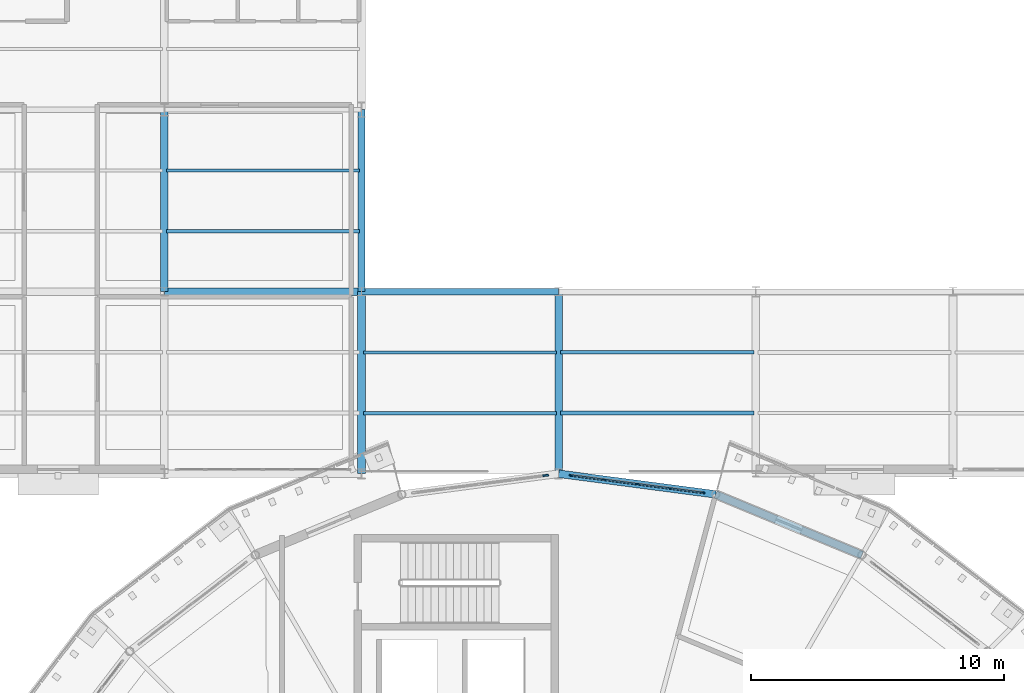
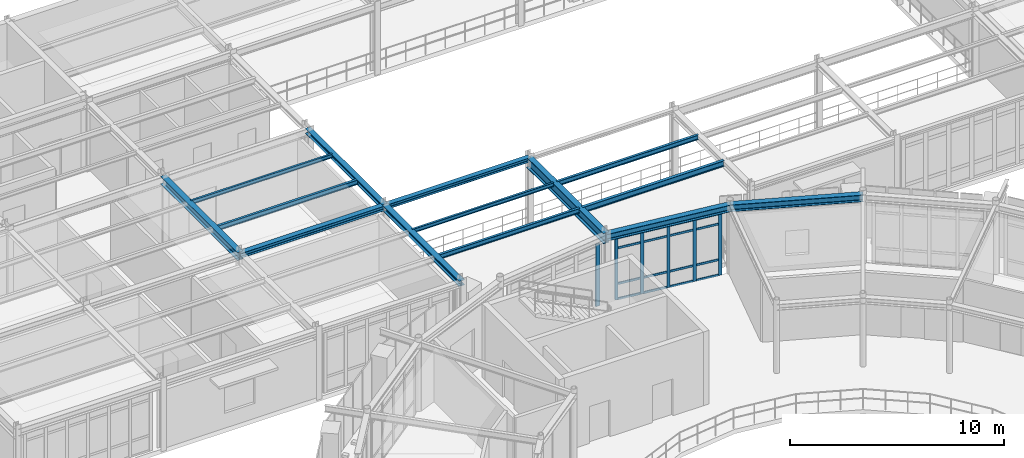
# One storey, part 51 of 90: 22 members, 14 beams, 2 elements without a shape of their own.
"""IFC4 building model written with IfcOpenShell, lengths in metres."""

from ifc_helpers import new_model, si_unit, derived_unit, direction, frame, origin, origin_2d, place, context, subcontext, project, spatial, rectangle, i_section, extrude, material, layer, layer_set, material_profile, profile_set, type_object, element, aggregate, save


model = new_model("IFC4")

# Units and contexts
model_context = context("Model", 3, precision=1e-05, world=origin(), true_north=direction((0.0, 1.0)))
body_context = subcontext(model_context, "Body", "Model", "MODEL_VIEW")
ifc_project = project(units=[si_unit("LENGTHUNIT", "METRE"), si_unit("AREAUNIT", "SQUARE_METRE"), si_unit("VOLUMEUNIT", "CUBIC_METRE"), si_unit("PLANEANGLEUNIT", "RADIAN"), si_unit("MASSUNIT", "GRAM", prefix="KILO"), derived_unit("THERMALTRANSMITTANCEUNIT", [(si_unit("POWERUNIT", "WATT"), 1), (si_unit("AREAUNIT", "SQUARE_METRE"), -1), (si_unit("THERMODYNAMICTEMPERATUREUNIT", "KELVIN"), -1)])], contexts=[model_context])

# Site, building, storey
site_placement = place(None, origin())
site = spatial("IfcSite", under=ifc_project, at=site_placement, CompositionType="ELEMENT")
building_placement = place(site_placement, origin())
building = spatial("IfcBuilding", under=site, at=building_placement, Name="Yasenodar Specialist Clinic", CompositionType="ELEMENT")
storey_placement = place(building_placement, frame((0.0, 0.0, 9.0)))
storey = spatial("IfcBuildingStorey", under=building, at=storey_placement, Name="L02", CompositionType="ELEMENT", Elevation=9.0)

# Beams
ifc_material_1 = material(Name="Steel S355", Category="steel")
ifc_material_profile_1 = material_profile(ifc_material_1, i_section(OverallWidth=0.260009765625, OverallDepth=0.25, WebThickness=0.007568359375, FlangeThickness=0.012451171875, FilletRadius=0.02392578125, at=origin_2d()), Name="HEA 260")
ifc_profile_set_1 = profile_set([ifc_material_profile_1], Name="Steel S355")
beam_type_1 = type_object("IfcBeamType", Name="BM-HEA260", PredefinedType="BEAM", material=ifc_profile_set_1)
beam_1_placement = place(storey_placement, frame((73.199951171875, 90.0, 3.824951171875), z_axis=(1.0, 0.0, 0.0), x_axis=(0.0, 1.0, 0.0)))
element("IfcBeam", 1, at=beam_1_placement, inside=storey, type_object=beam_type_1, Name="L02 Primary E-W Girder", PredefinedType="BEAM", context=body_context, shape_type="SweptSolid", body=[
    extrude(i_section(OverallWidth=0.260009765625, OverallDepth=0.25, WebThickness=0.007568359375, FlangeThickness=0.012451171875, FilletRadius=0.02392578125, at=origin_2d()), origin(), (0.0, 0.0, 1.0), 7.800048828125),
])
ifc_material_profile_2 = material_profile(ifc_material_1, i_section(OverallWidth=0.280029296875, OverallDepth=0.27001953125, WebThickness=0.008056640625, FlangeThickness=0.012939453125, FilletRadius=0.02392578125, at=origin_2d()), Name="HEA 280")
ifc_profile_set_2 = profile_set([ifc_material_profile_2], Name="Steel S355")
beam_type_2 = type_object("IfcBeamType", Name="BM-HEA280", PredefinedType="BEAM", material=ifc_profile_set_2)
beam_2_placement = place(storey_placement, frame((65.39990234375, 90.0, 3.81494140625), z_axis=(1.0, 0.0, 0.0), x_axis=(0.0, 1.0, 0.0)))
element("IfcBeam", 2, at=beam_2_placement, inside=storey, type_object=beam_type_2, Name="L02 Primary E-W Girder", PredefinedType="BEAM", context=body_context, shape_type="SweptSolid", body=[
    extrude(i_section(OverallWidth=0.280029296875, OverallDepth=0.27001953125, WebThickness=0.008056640625, FlangeThickness=0.012939453125, FilletRadius=0.02392578125, at=origin_2d()), origin(), (0.0, 0.0, 1.0), 7.800048828125),
])
ifc_material_profile_3 = material_profile(ifc_material_1, i_section(OverallWidth=0.300048828125, OverallDepth=0.389892578125, WebThickness=0.010986328125, FlangeThickness=0.01904296875, FilletRadius=0.027099609375, at=origin_2d()), Name="HEA 400")
ifc_profile_set_3 = profile_set([ifc_material_profile_3], Name="Steel S355")
beam_type_3 = type_object("IfcBeamType", Name="BM-HEA400", PredefinedType="BEAM", material=ifc_profile_set_3)
beam_3_placement = place(storey_placement, frame((93.0, 79.584716796875, 3.7548828125), z_axis=(-0.9238876519, 0.382663829839, 0.0), x_axis=(-0.382663829839, -0.9238876519, 0.0)))
element("IfcBeam", 3, at=beam_3_placement, inside=storey, type_object=beam_type_3, Name="L02 Drum V1 Perimeter Ring Beam", PredefinedType="BEAM", context=body_context, shape_type="SweptSolid", body=[
    extrude(i_section(OverallWidth=0.300048828125, OverallDepth=0.389892578125, WebThickness=0.010986328125, FlangeThickness=0.01904296875, FilletRadius=0.027099609375, at=origin_2d()), origin(), (0.0, 0.0, 1.0), 6.26513671875),
])
beam_4_placement = place(storey_placement, frame((87.211669921875, 81.982177734375, 3.7548828125), z_axis=(-0.991443018138, 0.130540192224, 0.0), x_axis=(-0.130540192224, -0.991443018138, 0.0)))
element("IfcBeam", 4, at=beam_4_placement, inside=storey, type_object=beam_type_3, Name="L02 Drum V1 Perimeter Ring Beam", PredefinedType="BEAM", context=body_context, shape_type="SweptSolid", body=[
    extrude(i_section(OverallWidth=0.300048828125, OverallDepth=0.389892578125, WebThickness=0.010986328125, FlangeThickness=0.01904296875, FilletRadius=0.027099609375, at=origin_2d()), origin(), (0.0, 0.0, 1.0), 6.265380859375),
])
ifc_material_profile_4 = material_profile(ifc_material_1, i_section(OverallWidth=0.280029296875, OverallDepth=0.280029296875, WebThickness=0.010498046875, FlangeThickness=0.01806640625, FilletRadius=0.02392578125, at=origin_2d()), Name="HEB 280")
ifc_profile_set_4 = profile_set([ifc_material_profile_4], Name="Steel S355")
beam_type_4 = type_object("IfcBeamType", Name="BM-HEB280", PredefinedType="BEAM", material=ifc_profile_set_4)
beam_5_placement = place(storey_placement, frame((73.199951171875, 90.0, 3.81005859375), z_axis=(0.0, 1.0, 0.0), x_axis=(-1.0, 0.0, 0.0)))
element("IfcBeam", 5, at=beam_5_placement, inside=storey, type_object=beam_type_4, Name="L02 Primary N-S Girder", PredefinedType="BEAM", context=body_context, shape_type="SweptSolid", body=[
    extrude(i_section(OverallWidth=0.280029296875, OverallDepth=0.280029296875, WebThickness=0.010498046875, FlangeThickness=0.01806640625, FilletRadius=0.02392578125, at=origin_2d()), origin(), (0.0, 0.0, 1.0), 7.199951171875),
])
ifc_material_profile_5 = material_profile(ifc_material_1, i_section(OverallWidth=0.300048828125, OverallDepth=0.300048828125, WebThickness=0.010986328125, FlangeThickness=0.01904296875, FilletRadius=0.027099609375, at=origin_2d()), Name="HEB 300")
ifc_profile_set_5 = profile_set([ifc_material_profile_5], Name="Steel S355")
beam_type_5 = type_object("IfcBeamType", Name="BM-HEB300", PredefinedType="BEAM", material=ifc_profile_set_5)
beam_6_placement = place(storey_placement, frame((73.199951171875, 82.800048828125, 3.800048828125), z_axis=(0.0, 1.0, 0.0), x_axis=(-1.0, 0.0, 0.0)))
element("IfcBeam", 6, at=beam_6_placement, inside=storey, type_object=beam_type_5, Name="L02 Primary N-S Girder", PredefinedType="BEAM", context=body_context, shape_type="SweptSolid", body=[
    extrude(i_section(OverallWidth=0.300048828125, OverallDepth=0.300048828125, WebThickness=0.010986328125, FlangeThickness=0.01904296875, FilletRadius=0.027099609375, at=origin_2d()), origin(), (0.0, 0.0, 1.0), 7.199951171875),
])
ifc_material_profile_6 = material_profile(ifc_material_1, i_section(OverallWidth=0.300048828125, OverallDepth=0.449951171875, WebThickness=0.013916015625, FlangeThickness=0.02587890625, FilletRadius=0.027099609375, at=origin_2d()), Name="HEB 450")
ifc_profile_set_6 = profile_set([ifc_material_profile_6], Name="Steel S355")
beam_type_6 = type_object("IfcBeamType", Name="BM-HEB450", PredefinedType="BEAM", material=ifc_profile_set_6)
beam_7_placement = place(storey_placement, frame((65.39990234375, 90.0, 3.72509765625), z_axis=(0.0, 1.0, 0.0), x_axis=(-1.0, 0.0, 0.0)))
element("IfcBeam", 7, at=beam_7_placement, inside=storey, type_object=beam_type_6, Name="L02 Primary N-S Girder", PredefinedType="BEAM", context=body_context, shape_type="SweptSolid", body=[
    extrude(i_section(OverallWidth=0.300048828125, OverallDepth=0.449951171875, WebThickness=0.013916015625, FlangeThickness=0.02587890625, FilletRadius=0.027099609375, at=origin_2d()), origin(), (0.0, 0.0, 1.0), 7.199951171875),
])
ifc_material_profile_7 = material_profile(ifc_material_1, i_section(OverallWidth=0.300048828125, OverallDepth=0.60009765625, WebThickness=0.015380859375, FlangeThickness=0.030029296875, FilletRadius=0.027099609375, at=origin_2d()), Name="HEB 600")
ifc_profile_set_7 = profile_set([ifc_material_profile_7], Name="Steel S355")
beam_type_7 = type_object("IfcBeamType", Name="BM-HEB600", PredefinedType="BEAM", material=ifc_profile_set_7)
beam_8_placement = place(storey_placement, frame((81.0, 82.800048828125, 3.64990234375), z_axis=(0.0, 1.0, 0.0), x_axis=(-1.0, 0.0, 0.0)))
element("IfcBeam", 8, at=beam_8_placement, inside=storey, type_object=beam_type_7, Name="L02 Primary N-S Girder", PredefinedType="BEAM", context=body_context, shape_type="SweptSolid", body=[
    extrude(i_section(OverallWidth=0.300048828125, OverallDepth=0.60009765625, WebThickness=0.015380859375, FlangeThickness=0.030029296875, FilletRadius=0.027099609375, at=origin_2d()), origin(), (0.0, 0.0, 1.0), 7.199951171875),
])

# Curtain wall, members
ifc_material_2 = material(Name="Bronze Anodized Aluminium and Triple Low-E Glass", Category="aluminium")
ifc_layer = layer(ifc_material_2, 0.1669921875)
ifc_layer_set = layer_set([ifc_layer], Name="Bronze Anodized Aluminium and Triple Low-E Glass")
curtain_wall_type = type_object("IfcCurtainWallType", Name="CW-SYS-01", PredefinedType="USERDEFINED", material=ifc_layer_set)
curtain_wall_1_placement = place(storey_placement, origin())
curtain_wall_1 = element("IfcCurtainWall", 9, at=curtain_wall_1_placement, inside=storey, type_object=curtain_wall_type, Name="L02 Unitised Curtain Wall 029", ObjectType="UNITISED CURTAIN WALL", PredefinedType="USERDEFINED")
ifc_material_3 = material(Name="Bronze Anodized Aluminium", Category="aluminium")
ifc_material_profile_8 = material_profile(ifc_material_3, rectangle(XDim=0.06005859375, YDim=0.159912109375, at=origin_2d()), Name="CW-MULL 60x160")
ifc_profile_set_8 = profile_set([ifc_material_profile_8], Name="Bronze Anodized Aluminium")
member_type_1 = type_object("IfcMemberType", Name="CW-MULL-160", PredefinedType="MULLION", material=ifc_profile_set_8)
member_1_placement = place(storey_placement, frame((81.505615234375, 82.7333984375, 0.0), z_axis=(0.0, 0.0, 1.0), x_axis=(0.13051156024, 0.991446787601, 0.0)))
member_1 = element("IfcMember", 10, at=member_1_placement, type_object=member_type_1, Name="CW-01 mullion 1", PredefinedType="MULLION", context=body_context, shape_type="SweptSolid", body=[
    extrude(rectangle(XDim=0.06005859375, YDim=0.159912109375, at=origin_2d()), origin(), (0.0, 0.0, 1.0), 3.5380859375),
])
member_2_placement = place(storey_placement, frame((82.790771484375, 82.564208984375, 0.0), z_axis=(0.0, 0.0, 1.0), x_axis=(0.13051156024, 0.991446787601, 0.0)))
member_2 = element("IfcMember", 11, at=member_2_placement, type_object=member_type_1, Name="CW-01 mullion 2", PredefinedType="MULLION", context=body_context, shape_type="SweptSolid", body=[
    extrude(rectangle(XDim=0.06005859375, YDim=0.159912109375, at=origin_2d()), origin(), (0.0, 0.0, 1.0), 3.5380859375),
])
member_3_placement = place(storey_placement, frame((84.10595703125, 82.39111328125, 0.0), z_axis=(0.0, 0.0, 1.0), x_axis=(0.13051156024, 0.991446787601, 0.0)))
member_3 = element("IfcMember", 12, at=member_3_placement, type_object=member_type_1, Name="CW-01 mullion 3", PredefinedType="MULLION", context=body_context, shape_type="SweptSolid", body=[
    extrude(rectangle(XDim=0.06005859375, YDim=0.159912109375, at=origin_2d()), origin(), (0.0, 0.0, 1.0), 3.5380859375),
])
member_4_placement = place(storey_placement, frame((85.4208984375, 82.218017578125, 0.0), z_axis=(0.0, 0.0, 1.0), x_axis=(0.13051156024, 0.991446787601, 0.0)))
member_4 = element("IfcMember", 13, at=member_4_placement, type_object=member_type_1, Name="CW-01 mullion 4", PredefinedType="MULLION", context=body_context, shape_type="SweptSolid", body=[
    extrude(rectangle(XDim=0.06005859375, YDim=0.159912109375, at=origin_2d()), origin(), (0.0, 0.0, 1.0), 3.5380859375),
])
member_5_placement = place(storey_placement, frame((86.7060546875, 82.048828125, 0.0), z_axis=(0.0, 0.0, 1.0), x_axis=(0.13051156024, 0.991446787601, 0.0)))
member_5 = element("IfcMember", 14, at=member_5_placement, type_object=member_type_1, Name="CW-01 mullion 5", PredefinedType="MULLION", context=body_context, shape_type="SweptSolid", body=[
    extrude(rectangle(XDim=0.06005859375, YDim=0.159912109375, at=origin_2d()), origin(), (0.0, 0.0, 1.0), 3.5380859375),
])

# Curtain wall, member
curtain_wall_2_placement = place(storey_placement, origin())
curtain_wall_2 = element("IfcCurtainWall", 15, at=curtain_wall_2_placement, inside=storey, type_object=curtain_wall_type, Name="L02 Unitised Curtain Wall 030", ObjectType="UNITISED CURTAIN WALL", PredefinedType="USERDEFINED")
ifc_material_profile_9 = material_profile(ifc_material_3, rectangle(XDim=0.074951171875, YDim=0.22509765625, at=origin_2d()), Name="CW-MULL 75x225")
ifc_profile_set_9 = profile_set([ifc_material_profile_9], Name="Bronze Anodized Aluminium")
member_type_2 = type_object("IfcMemberType", Name="CW-MULL-225", PredefinedType="MULLION", material=ifc_profile_set_9)
member_6_placement = place(storey_placement, frame((80.48681640625, 82.732421875, 0.0), z_axis=(0.0, 0.0, 1.0), x_axis=(-0.13051156024, 0.991446787601, 0.0)))
member_6 = element("IfcMember", 16, at=member_6_placement, type_object=member_type_2, Name="CW-01 mullion 5", PredefinedType="MULLION", context=body_context, shape_type="SweptSolid", body=[
    extrude(rectangle(XDim=0.074951171875, YDim=0.22509765625, at=origin_2d()), origin(), (0.0, 0.0, 1.0), 3.5380859375),
])
aggregate(curtain_wall_2, [member_6])

# Member
ifc_material_profile_10 = material_profile(ifc_material_3, rectangle(XDim=0.06005859375, YDim=0.1201171875, at=origin_2d()), Name="CW-TRAN 60x120")
ifc_profile_set_10 = profile_set([ifc_material_profile_10], Name="Bronze Anodized Aluminium")
member_type_3 = type_object("IfcMemberType", Name="CW-TRAN-120", PredefinedType="USERDEFINED", material=ifc_profile_set_10)
member_7_placement = place(storey_placement, frame((81.535400390625, 82.7294921875, 0.030029296875), z_axis=(0.99144555616, -0.130520914683, 0.0), x_axis=(0.130520914683, 0.99144555616, 0.0)))
member_7 = element("IfcMember", 17, at=member_7_placement, type_object=member_type_3, Name="CW-01 transom 1.1", ObjectType="TRANSOM", PredefinedType="USERDEFINED", context=body_context, shape_type="SweptSolid", body=[
    extrude(rectangle(XDim=0.06005859375, YDim=0.1201171875, at=origin_2d()), origin(), (0.0, 0.0, 1.0), 1.236328125),
])

member_8_placement = place(storey_placement, frame((81.535400390625, 82.7294921875, 0.89990234375), z_axis=(0.99144555616, -0.130520914683, 0.0), x_axis=(0.130520914683, 0.99144555616, 0.0)))
member_8 = element("IfcMember", 18, at=member_8_placement, type_object=member_type_3, Name="CW-01 transom 1.2", ObjectType="TRANSOM", PredefinedType="USERDEFINED", context=body_context, shape_type="SweptSolid", body=[
    extrude(rectangle(XDim=0.06005859375, YDim=0.1201171875, at=origin_2d()), origin(), (0.0, 0.0, 1.0), 1.236328125),
])

member_9_placement = place(storey_placement, frame((81.535400390625, 82.7294921875, 2.93798828125), z_axis=(0.99144555616, -0.130520914683, 0.0), x_axis=(0.130520914683, 0.99144555616, 0.0)))
member_9 = element("IfcMember", 19, at=member_9_placement, type_object=member_type_3, Name="CW-01 transom 1.3", ObjectType="TRANSOM", PredefinedType="USERDEFINED", context=body_context, shape_type="SweptSolid", body=[
    extrude(rectangle(XDim=0.06005859375, YDim=0.1201171875, at=origin_2d()), origin(), (0.0, 0.0, 1.0), 1.236328125),
])

member_10_placement = place(storey_placement, frame((81.535400390625, 82.7294921875, 3.508056640625), z_axis=(0.99144555616, -0.130520914683, 0.0), x_axis=(0.130520914683, 0.99144555616, 0.0)))
member_10 = element("IfcMember", 20, at=member_10_placement, type_object=member_type_3, Name="CW-01 transom 1.4", ObjectType="TRANSOM", PredefinedType="USERDEFINED", context=body_context, shape_type="SweptSolid", body=[
    extrude(rectangle(XDim=0.06005859375, YDim=0.1201171875, at=origin_2d()), origin(), (0.0, 0.0, 1.0), 1.236328125),
])

member_11_placement = place(storey_placement, frame((82.820556640625, 82.560302734375, 0.030029296875), z_axis=(0.991447076407, -0.13050936627, 0.0), x_axis=(0.13050936627, 0.991447076407, 0.0)))
member_11 = element("IfcMember", 21, at=member_11_placement, type_object=member_type_3, Name="CW-01 transom 2.1", ObjectType="TRANSOM", PredefinedType="USERDEFINED", context=body_context, shape_type="SweptSolid", body=[
    extrude(rectangle(XDim=0.06005859375, YDim=0.1201171875, at=origin_2d()), origin(), (0.0, 0.0, 1.0), 1.266357421875),
])

member_12_placement = place(storey_placement, frame((82.820556640625, 82.560302734375, 0.89990234375), z_axis=(0.991447076407, -0.13050936627, 0.0), x_axis=(0.13050936627, 0.991447076407, 0.0)))
member_12 = element("IfcMember", 22, at=member_12_placement, type_object=member_type_3, Name="CW-01 transom 2.2", ObjectType="TRANSOM", PredefinedType="USERDEFINED", context=body_context, shape_type="SweptSolid", body=[
    extrude(rectangle(XDim=0.06005859375, YDim=0.1201171875, at=origin_2d()), origin(), (0.0, 0.0, 1.0), 1.266357421875),
])

member_13_placement = place(storey_placement, frame((82.820556640625, 82.560302734375, 2.93798828125), z_axis=(0.991447076407, -0.13050936627, 0.0), x_axis=(0.13050936627, 0.991447076407, 0.0)))
member_13 = element("IfcMember", 23, at=member_13_placement, type_object=member_type_3, Name="CW-01 transom 2.3", ObjectType="TRANSOM", PredefinedType="USERDEFINED", context=body_context, shape_type="SweptSolid", body=[
    extrude(rectangle(XDim=0.06005859375, YDim=0.1201171875, at=origin_2d()), origin(), (0.0, 0.0, 1.0), 1.266357421875),
])

member_14_placement = place(storey_placement, frame((82.820556640625, 82.560302734375, 3.508056640625), z_axis=(0.991447076407, -0.13050936627, 0.0), x_axis=(0.13050936627, 0.991447076407, 0.0)))
member_14 = element("IfcMember", 24, at=member_14_placement, type_object=member_type_3, Name="CW-01 transom 2.4", ObjectType="TRANSOM", PredefinedType="USERDEFINED", context=body_context, shape_type="SweptSolid", body=[
    extrude(rectangle(XDim=0.06005859375, YDim=0.1201171875, at=origin_2d()), origin(), (0.0, 0.0, 1.0), 1.266357421875),
])

member_15_placement = place(storey_placement, frame((84.135498046875, 82.38720703125, 0.030029296875), z_axis=(0.991447076407, -0.13050936627, 0.0), x_axis=(0.13050936627, 0.991447076407, 0.0)))
member_15 = element("IfcMember", 25, at=member_15_placement, type_object=member_type_3, Name="CW-01 transom 3.1", ObjectType="TRANSOM", PredefinedType="USERDEFINED", context=body_context, shape_type="SweptSolid", body=[
    extrude(rectangle(XDim=0.06005859375, YDim=0.1201171875, at=origin_2d()), origin(), (0.0, 0.0, 1.0), 1.266357421875),
])

member_16_placement = place(storey_placement, frame((84.135498046875, 82.38720703125, 0.89990234375), z_axis=(0.991447076407, -0.13050936627, 0.0), x_axis=(0.13050936627, 0.991447076407, 0.0)))
member_16 = element("IfcMember", 26, at=member_16_placement, type_object=member_type_3, Name="CW-01 transom 3.2", ObjectType="TRANSOM", PredefinedType="USERDEFINED", context=body_context, shape_type="SweptSolid", body=[
    extrude(rectangle(XDim=0.06005859375, YDim=0.1201171875, at=origin_2d()), origin(), (0.0, 0.0, 1.0), 1.266357421875),
])

member_17_placement = place(storey_placement, frame((84.135498046875, 82.38720703125, 2.93798828125), z_axis=(0.991447076407, -0.13050936627, 0.0), x_axis=(0.13050936627, 0.991447076407, 0.0)))
member_17 = element("IfcMember", 27, at=member_17_placement, type_object=member_type_3, Name="CW-01 transom 3.3", ObjectType="TRANSOM", PredefinedType="USERDEFINED", context=body_context, shape_type="SweptSolid", body=[
    extrude(rectangle(XDim=0.06005859375, YDim=0.1201171875, at=origin_2d()), origin(), (0.0, 0.0, 1.0), 1.266357421875),
])

member_18_placement = place(storey_placement, frame((84.135498046875, 82.38720703125, 3.508056640625), z_axis=(0.991447076407, -0.13050936627, 0.0), x_axis=(0.13050936627, 0.991447076407, 0.0)))
member_18 = element("IfcMember", 28, at=member_18_placement, type_object=member_type_3, Name="CW-01 transom 3.4", ObjectType="TRANSOM", PredefinedType="USERDEFINED", context=body_context, shape_type="SweptSolid", body=[
    extrude(rectangle(XDim=0.06005859375, YDim=0.1201171875, at=origin_2d()), origin(), (0.0, 0.0, 1.0), 1.266357421875),
])

member_19_placement = place(storey_placement, frame((85.45068359375, 82.214111328125, 0.030029296875), z_axis=(0.991442191305, -0.130546471803, 0.0), x_axis=(0.130546471803, 0.991442191305, 0.0)))
member_19 = element("IfcMember", 29, at=member_19_placement, type_object=member_type_3, Name="CW-01 transom 4.1", ObjectType="TRANSOM", PredefinedType="USERDEFINED", context=body_context, shape_type="SweptSolid", body=[
    extrude(rectangle(XDim=0.06005859375, YDim=0.1201171875, at=origin_2d()), origin(), (0.0, 0.0, 1.0), 1.236083984375),
])

member_20_placement = place(storey_placement, frame((85.45068359375, 82.214111328125, 0.89990234375), z_axis=(0.991442191305, -0.130546471803, 0.0), x_axis=(0.130546471803, 0.991442191305, 0.0)))
member_20 = element("IfcMember", 30, at=member_20_placement, type_object=member_type_3, Name="CW-01 transom 4.2", ObjectType="TRANSOM", PredefinedType="USERDEFINED", context=body_context, shape_type="SweptSolid", body=[
    extrude(rectangle(XDim=0.06005859375, YDim=0.1201171875, at=origin_2d()), origin(), (0.0, 0.0, 1.0), 1.236083984375),
])

member_21_placement = place(storey_placement, frame((85.45068359375, 82.214111328125, 2.93798828125), z_axis=(0.991442191305, -0.130546471803, 0.0), x_axis=(0.130546471803, 0.991442191305, 0.0)))
member_21 = element("IfcMember", 31, at=member_21_placement, type_object=member_type_3, Name="CW-01 transom 4.3", ObjectType="TRANSOM", PredefinedType="USERDEFINED", context=body_context, shape_type="SweptSolid", body=[
    extrude(rectangle(XDim=0.06005859375, YDim=0.1201171875, at=origin_2d()), origin(), (0.0, 0.0, 1.0), 1.236083984375),
])

member_22_placement = place(storey_placement, frame((85.45068359375, 82.214111328125, 3.508056640625), z_axis=(0.991442191305, -0.130546471803, 0.0), x_axis=(0.130546471803, 0.991442191305, 0.0)))
member_22 = element("IfcMember", 32, at=member_22_placement, type_object=member_type_3, Name="CW-01 transom 4.4", ObjectType="TRANSOM", PredefinedType="USERDEFINED", context=body_context, shape_type="SweptSolid", body=[
    extrude(rectangle(XDim=0.06005859375, YDim=0.1201171875, at=origin_2d()), origin(), (0.0, 0.0, 1.0), 1.236083984375),
])

aggregate(curtain_wall_1, [member_1, member_2, member_3, member_4, member_5, member_7, member_8, member_9, member_10, member_11, member_12, member_13, member_14, member_15, member_16, member_17, member_18, member_19, member_20, member_21, member_22])

# Beams
ifc_material_profile_11 = material_profile(ifc_material_1, i_section(OverallWidth=0.110107421875, OverallDepth=0.219970703125, WebThickness=0.005859375, FlangeThickness=0.00927734375, FilletRadius=0.011962890625, at=origin_2d()), Name="IPE 220")
ifc_profile_set_11 = profile_set([ifc_material_profile_11], Name="Steel S355")
beam_type_8 = type_object("IfcBeamType", Name="JS-IPE220", PredefinedType="JOIST", material=ifc_profile_set_11)
beam_9_placement = place(storey_placement, frame((65.47998046875, 94.800048828125, 3.840087890625), z_axis=(1.0, 0.0, 0.0), x_axis=(0.0, 1.0, 0.0)))
element("IfcBeam", 33, at=beam_9_placement, inside=storey, type_object=beam_type_8, Name="L02 Composite Floor Joist", PredefinedType="JOIST", context=body_context, shape_type="SweptSolid", body=[
    extrude(i_section(OverallWidth=0.110107421875, OverallDepth=0.219970703125, WebThickness=0.005859375, FlangeThickness=0.00927734375, FilletRadius=0.011962890625, at=origin_2d()), origin(), (0.0, 0.0, 1.0), 7.64013671875),
])
beam_10_placement = place(storey_placement, frame((73.280029296875, 87.60009765625, 3.840087890625), z_axis=(1.0, 0.0, 0.0), x_axis=(0.0, 1.0, 0.0)))
element("IfcBeam", 34, at=beam_10_placement, inside=storey, type_object=beam_type_8, Name="L02 Composite Floor Joist", PredefinedType="JOIST", context=body_context, shape_type="SweptSolid", body=[
    extrude(i_section(OverallWidth=0.110107421875, OverallDepth=0.219970703125, WebThickness=0.005859375, FlangeThickness=0.00927734375, FilletRadius=0.011962890625, at=origin_2d()), origin(), (0.0, 0.0, 1.0), 7.639892578125),
])
ifc_material_profile_12 = material_profile(ifc_material_1, i_section(OverallWidth=0.135009765625, OverallDepth=0.27001953125, WebThickness=0.006591796875, FlangeThickness=0.01025390625, FilletRadius=0.014892578125, at=origin_2d()), Name="IPE 270")
ifc_profile_set_12 = profile_set([ifc_material_profile_12], Name="Steel S355")
beam_type_9 = type_object("IfcBeamType", Name="JS-IPE270", PredefinedType="JOIST", material=ifc_profile_set_12)
beam_11_placement = place(storey_placement, frame((65.47998046875, 92.39990234375, 3.81494140625), z_axis=(1.0, 0.0, 0.0), x_axis=(0.0, 1.0, 0.0)))
element("IfcBeam", 35, at=beam_11_placement, inside=storey, type_object=beam_type_9, Name="L02 Composite Floor Joist", PredefinedType="JOIST", context=body_context, shape_type="SweptSolid", body=[
    extrude(i_section(OverallWidth=0.135009765625, OverallDepth=0.27001953125, WebThickness=0.006591796875, FlangeThickness=0.01025390625, FilletRadius=0.014892578125, at=origin_2d()), origin(), (0.0, 0.0, 1.0), 7.64013671875),
])
for number, where, z_axis, x_axis, name in (
    (36, (73.280029296875, 85.199951171875, 3.81494140625), (1.0, 0.0, 0.0), (0.0, 1.0, 0.0), "L02 Composite Floor Joist"),
    (37, (81.080078125, 87.60009765625, 3.81494140625), (1.0, 0.0, 0.0), (0.0, 1.0, 0.0), "L02 Composite Floor Joist"),
):
    element("IfcBeam", number, at=place(storey_placement, frame(where, z_axis=z_axis, x_axis=x_axis)), inside=storey, type_object=beam_type_9, Name=name, PredefinedType="JOIST", context=body_context, shape_type="SweptSolid", body=[
        extrude(i_section(OverallWidth=0.135009765625, OverallDepth=0.27001953125, WebThickness=0.006591796875, FlangeThickness=0.01025390625, FilletRadius=0.014892578125, at=origin_2d()), origin(), (0.0, 0.0, 1.0), 7.639892578125),
    ])
ifc_material_profile_13 = material_profile(ifc_material_1, i_section(OverallWidth=0.159912109375, OverallDepth=0.330078125, WebThickness=0.007568359375, FlangeThickness=0.011474609375, FilletRadius=0.01806640625, at=origin_2d()), Name="IPE 330")
ifc_profile_set_13 = profile_set([ifc_material_profile_13], Name="Steel S355")
beam_type_10 = type_object("IfcBeamType", Name="JS-IPE330", PredefinedType="JOIST", material=ifc_profile_set_13)
beam_12_placement = place(storey_placement, frame((81.080078125, 85.199951171875, 3.784912109375), z_axis=(1.0, 0.0, 0.0), x_axis=(0.0, 1.0, 0.0)))
element("IfcBeam", 38, at=beam_12_placement, inside=storey, type_object=beam_type_10, Name="L02 Composite Floor Joist", PredefinedType="JOIST", context=body_context, shape_type="SweptSolid", body=[
    extrude(i_section(OverallWidth=0.159912109375, OverallDepth=0.330078125, WebThickness=0.007568359375, FlangeThickness=0.011474609375, FilletRadius=0.01806640625, at=origin_2d()), origin(), (0.0, 0.0, 1.0), 7.639892578125),
])

save(model, "model.ifc")
